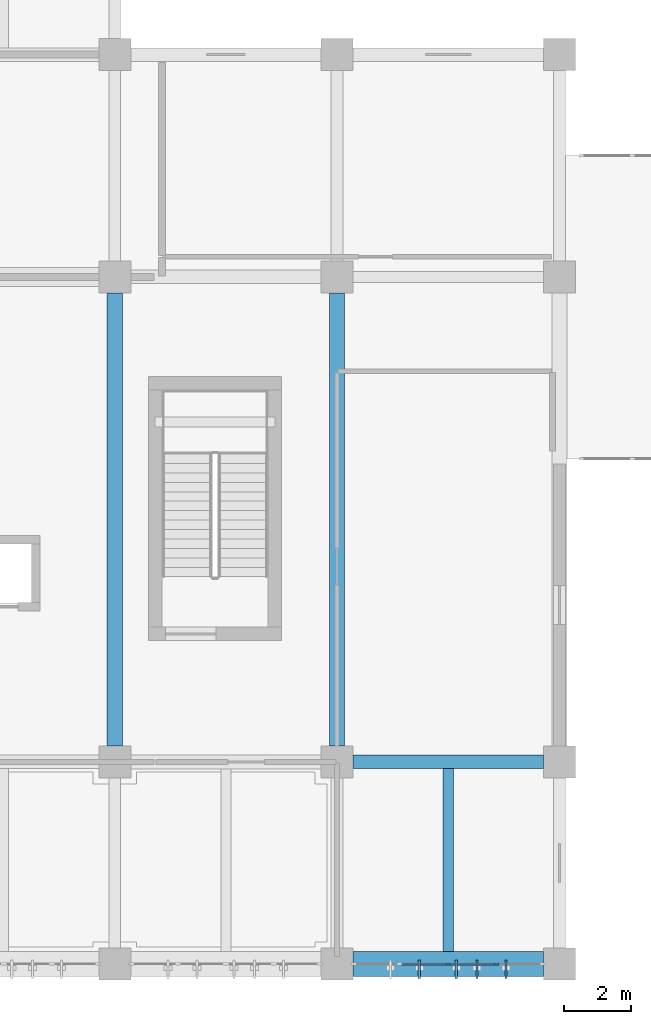
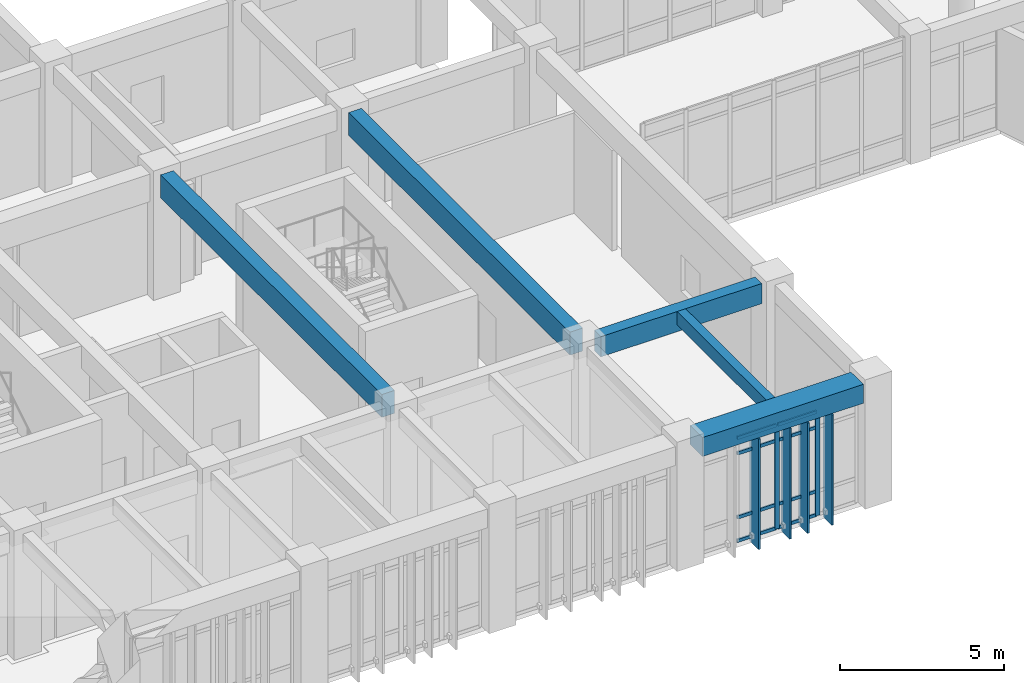
# One storey, part 4 of 65: 14 members, 5 beams, 1 element without a shape of its own.
"""IFC4 building model written with IfcOpenShell, lengths in metres."""

from ifc_helpers import new_model, si_unit, direction, frame, origin, origin_2d, place, context, subcontext, project, spatial, rectangle, extrude, material, layer, layer_set, material_profile, profile_set, type_object, element, aggregate, save


model = new_model("IFC4")

# Units and contexts
model_context = context("Model", 3, precision=1e-05, world=origin(), true_north=direction((0.0, 1.0)))
body_context = subcontext(model_context, "Body", "Model", "MODEL_VIEW")
ifc_project = project(units=[si_unit("LENGTHUNIT", "METRE"), si_unit("AREAUNIT", "SQUARE_METRE"), si_unit("VOLUMEUNIT", "CUBIC_METRE"), si_unit("PLANEANGLEUNIT", "RADIAN"), si_unit("MASSUNIT", "GRAM", prefix="KILO")], contexts=[model_context])

# Site, building, storey
site_placement = place(None, origin())
site = spatial("IfcSite", under=ifc_project, at=site_placement, CompositionType="ELEMENT")
building_placement = place(site_placement, origin())
building = spatial("IfcBuilding", under=site, at=building_placement, Name="Miralva Faculty of Natural Sciences", CompositionType="ELEMENT")
storey_placement = place(building_placement, frame((0.0, 0.0, 10.199951171875)))
storey = spatial("IfcBuildingStorey", under=building, at=storey_placement, Name="L02", CompositionType="ELEMENT", Elevation=10.199951171875)

# Beams
ifc_material_1 = material(Name="Concrete C40/50", Category="concrete")
ifc_material_profile_1 = material_profile(ifc_material_1, rectangle(XDim=0.449951171875, YDim=0.85009765625, at=origin_2d()), Name="RC 450x850")
ifc_profile_set_1 = profile_set([ifc_material_profile_1], Name="Concrete C40/50")
beam_type_1 = type_object("IfcBeamType", Name="BM-B01", PredefinedType="BEAM", material=ifc_profile_set_1)
for number, where, z_axis, x_axis, name in (
    (1, (22.800048828125, 9.47509765625, 4.155029296875), (0.0, 1.0, 0.0), (-1.0, 0.0, 0.0), "Girder NS L02-100"),
    (2, (29.39990234375, 9.47509765625, 4.155029296875), (0.0, 1.0, 0.0), (-1.0, 0.0, 0.0), "Girder NS L02-113"),
):
    element("IfcBeam", number, at=place(storey_placement, frame(where, z_axis=z_axis, x_axis=x_axis)), inside=storey, type_object=beam_type_1, Name=name, PredefinedType="BEAM", context=body_context, shape_type="SweptSolid", body=[
        extrude(rectangle(XDim=0.449951171875, YDim=0.85009765625, at=origin_2d()), origin(), (0.0, 0.0, 1.0), 13.449951171875),
    ])
ifc_material_profile_2 = material_profile(ifc_material_1, rectangle(XDim=0.39990234375, YDim=0.75, at=origin_2d()), Name="RC 400x750")
ifc_profile_set_2 = profile_set([ifc_material_profile_2], Name="Concrete C40/50")
beam_type_2 = type_object("IfcBeamType", Name="BM-B03", PredefinedType="BEAM", material=ifc_profile_set_2)
beam_1_placement = place(storey_placement, frame((29.875, 9.0, 4.205078125), z_axis=(1.0, 0.0, 0.0), x_axis=(0.0, 1.0, 0.0)))
element("IfcBeam", 3, at=beam_1_placement, inside=storey, type_object=beam_type_2, Name="Girder EW L02-10", PredefinedType="BEAM", context=body_context, shape_type="SweptSolid", body=[
    extrude(rectangle(XDim=0.39990234375, YDim=0.75, at=origin_2d()), origin(), (0.0, 0.0, 1.0), 5.64990234375),
])
ifc_material_profile_3 = material_profile(ifc_material_1, rectangle(XDim=0.300048828125, YDim=0.5, at=origin_2d()), Name="RC 300x500")
ifc_profile_set_3 = profile_set([ifc_material_profile_3], Name="Concrete C40/50")
beam_type_3 = type_object("IfcBeamType", Name="BM-J03", PredefinedType="JOIST", material=ifc_profile_set_3)
beam_2_placement = place(storey_placement, frame((32.699951171875, 3.375, 4.330078125), z_axis=(0.0, 1.0, 0.0), x_axis=(-1.0, 0.0, 0.0)))
element("IfcBeam", 4, at=beam_2_placement, inside=storey, type_object=beam_type_3, Name="Floor joist L02-5", PredefinedType="JOIST", context=body_context, shape_type="SweptSolid", body=[
    extrude(rectangle(XDim=0.300048828125, YDim=0.5, at=origin_2d()), origin(), (0.0, 0.0, 1.0), 5.425048828125),
])
ifc_material_profile_4 = material_profile(ifc_material_1, rectangle(XDim=0.75, YDim=0.699951171875, at=origin_2d()), Name="RC 750x700")
ifc_profile_set_4 = profile_set([ifc_material_profile_4], Name="Concrete C40/50")
beam_type_4 = type_object("IfcBeamType", Name="BM-SP01", PredefinedType="SPANDREL", material=ifc_profile_set_4)
beam_3_placement = place(storey_placement, frame((29.875, 3.0, 4.22998046875), z_axis=(1.0, 0.0, 0.0), x_axis=(0.0, 1.0, 0.0)))
element("IfcBeam", 5, at=beam_3_placement, inside=storey, type_object=beam_type_4, Name="Girder EW L02-5", PredefinedType="SPANDREL", context=body_context, shape_type="SweptSolid", body=[
    extrude(rectangle(XDim=0.75, YDim=0.699951171875, at=origin_2d()), origin(), (0.0, 0.0, 1.0), 5.64990234375),
])

# Curtain wall, members
ifc_material_2 = material(Name="Laminated solar-control glass", Category="glass")
ifc_layer = layer(ifc_material_2, 0.179931640625, Name="CW-TWR-L01")
ifc_layer_set = layer_set([ifc_layer], Name="Laminated solar-control glass")
curtain_wall_type = type_object("IfcCurtainWallType", Name="CW-TWR-L01", PredefinedType="USERDEFINED", material=ifc_layer_set)
curtain_wall_placement = place(storey_placement, origin())
curtain_wall = element("IfcCurtainWall", 6, at=curtain_wall_placement, inside=storey, type_object=curtain_wall_type, Name="Curtain wall CW-13 L02-222", ObjectType="UNITISED CURTAIN WALL", PredefinedType="USERDEFINED")
ifc_material_3 = material(Name="Anodised aluminium", Category="aluminium")
ifc_material_profile_5 = material_profile(ifc_material_3, rectangle(XDim=0.06494140625, YDim=0.159912109375, at=origin_2d()), Name="MULLION 65x160")
ifc_profile_set_5 = profile_set([ifc_material_profile_5], Name="Anodised aluminium")
member_type_1 = type_object("IfcMemberType", Name="CW-M02", PredefinedType="MULLION", material=ifc_profile_set_5)
member_1_placement = place(storey_placement, frame((32.699951171875, 3.0, 0.0), z_axis=(0.0, 0.0, 1.0), x_axis=(0.0, 1.0, 0.0)))
member_1 = element("IfcMember", 7, at=member_1_placement, type_object=member_type_1, Name="CW-13 mullion 3", PredefinedType="MULLION", context=body_context, shape_type="SweptSolid", body=[
    extrude(rectangle(XDim=0.06494140625, YDim=0.159912109375, at=origin_2d()), origin(), (0.0, 0.0, 1.0), 3.875),
])
member_2_placement = place(storey_placement, frame((34.12255859375, 3.0, 0.0), z_axis=(0.0, 0.0, 1.0), x_axis=(0.0, 1.0, 0.0)))
member_2 = element("IfcMember", 8, at=member_2_placement, type_object=member_type_1, Name="CW-13 mullion 4", PredefinedType="MULLION", context=body_context, shape_type="SweptSolid", body=[
    extrude(rectangle(XDim=0.06494140625, YDim=0.159912109375, at=origin_2d()), origin(), (0.0, 0.0, 1.0), 3.875),
])
ifc_material_profile_6 = material_profile(ifc_material_3, rectangle(XDim=0.06005859375, YDim=0.1201171875, at=origin_2d()), Name="TRANSOM 60x120")
ifc_profile_set_6 = profile_set([ifc_material_profile_6], Name="Anodised aluminium")
member_type_2 = type_object("IfcMemberType", Name="CW-T02", PredefinedType="USERDEFINED", material=ifc_profile_set_6)
member_3_placement = place(storey_placement, frame((31.31005859375, 3.0, 0.030029296875), z_axis=(1.0, 0.0, 0.0), x_axis=(0.0, 1.0, 0.0)))
member_3 = element("IfcMember", 9, at=member_3_placement, type_object=member_type_2, Name="CW-13 transom 2.1", ObjectType="TRANSOM", PredefinedType="USERDEFINED", context=body_context, shape_type="SweptSolid", body=[
    extrude(rectangle(XDim=0.06005859375, YDim=0.1201171875, at=origin_2d()), origin(), (0.0, 0.0, 1.0), 1.357421875),
])
member_4_placement = place(storey_placement, frame((31.31005859375, 3.0, 0.900146484375), z_axis=(1.0, 0.0, 0.0), x_axis=(0.0, 1.0, 0.0)))
member_4 = element("IfcMember", 10, at=member_4_placement, type_object=member_type_2, Name="CW-13 transom 2.2", ObjectType="TRANSOM", PredefinedType="USERDEFINED", context=body_context, shape_type="SweptSolid", body=[
    extrude(rectangle(XDim=0.06005859375, YDim=0.1201171875, at=origin_2d()), origin(), (0.0, 0.0, 1.0), 1.357421875),
])
member_5_placement = place(storey_placement, frame((31.31005859375, 3.0, 3.275146484375), z_axis=(1.0, 0.0, 0.0), x_axis=(0.0, 1.0, 0.0)))
member_5 = element("IfcMember", 11, at=member_5_placement, type_object=member_type_2, Name="CW-13 transom 2.3", ObjectType="TRANSOM", PredefinedType="USERDEFINED", context=body_context, shape_type="SweptSolid", body=[
    extrude(rectangle(XDim=0.06005859375, YDim=0.1201171875, at=origin_2d()), origin(), (0.0, 0.0, 1.0), 1.357421875),
])
member_6_placement = place(storey_placement, frame((31.31005859375, 3.0, 3.844970703125), z_axis=(1.0, 0.0, 0.0), x_axis=(0.0, 1.0, 0.0)))
member_6 = element("IfcMember", 12, at=member_6_placement, type_object=member_type_2, Name="CW-13 transom 2.4", ObjectType="TRANSOM", PredefinedType="USERDEFINED", context=body_context, shape_type="SweptSolid", body=[
    extrude(rectangle(XDim=0.06005859375, YDim=0.1201171875, at=origin_2d()), origin(), (0.0, 0.0, 1.0), 1.357421875),
])
member_7_placement = place(storey_placement, frame((32.732421875, 3.0, 0.030029296875), z_axis=(1.0, 0.0, 0.0), x_axis=(0.0, 1.0, 0.0)))
member_7 = element("IfcMember", 13, at=member_7_placement, type_object=member_type_2, Name="CW-13 transom 3.1", ObjectType="TRANSOM", PredefinedType="USERDEFINED", context=body_context, shape_type="SweptSolid", body=[
    extrude(rectangle(XDim=0.06005859375, YDim=0.1201171875, at=origin_2d()), origin(), (0.0, 0.0, 1.0), 1.357666015625),
])
member_8_placement = place(storey_placement, frame((32.732421875, 3.0, 0.900146484375), z_axis=(1.0, 0.0, 0.0), x_axis=(0.0, 1.0, 0.0)))
member_8 = element("IfcMember", 14, at=member_8_placement, type_object=member_type_2, Name="CW-13 transom 3.2", ObjectType="TRANSOM", PredefinedType="USERDEFINED", context=body_context, shape_type="SweptSolid", body=[
    extrude(rectangle(XDim=0.06005859375, YDim=0.1201171875, at=origin_2d()), origin(), (0.0, 0.0, 1.0), 1.357666015625),
])
member_9_placement = place(storey_placement, frame((32.732421875, 3.0, 3.275146484375), z_axis=(1.0, 0.0, 0.0), x_axis=(0.0, 1.0, 0.0)))
member_9 = element("IfcMember", 15, at=member_9_placement, type_object=member_type_2, Name="CW-13 transom 3.3", ObjectType="TRANSOM", PredefinedType="USERDEFINED", context=body_context, shape_type="SweptSolid", body=[
    extrude(rectangle(XDim=0.06005859375, YDim=0.1201171875, at=origin_2d()), origin(), (0.0, 0.0, 1.0), 1.357666015625),
])
member_10_placement = place(storey_placement, frame((32.732421875, 3.0, 3.844970703125), z_axis=(1.0, 0.0, 0.0), x_axis=(0.0, 1.0, 0.0)))
member_10 = element("IfcMember", 16, at=member_10_placement, type_object=member_type_2, Name="CW-13 transom 3.4", ObjectType="TRANSOM", PredefinedType="USERDEFINED", context=body_context, shape_type="SweptSolid", body=[
    extrude(rectangle(XDim=0.06005859375, YDim=0.1201171875, at=origin_2d()), origin(), (0.0, 0.0, 1.0), 1.357666015625),
])
aggregate(curtain_wall, [member_1, member_2, member_3, member_4, member_5, member_6, member_7, member_8, member_9, member_10])

# Members
ifc_material_profile_7 = material_profile(ifc_material_3, rectangle(XDim=0.06494140625, YDim=0.550048828125, at=origin_2d()), Name="FIN 550x65")
ifc_profile_set_7 = profile_set([ifc_material_profile_7], Name="Anodised aluminium")
member_type_3 = type_object("IfcMemberType", Name="MEM-SF03", PredefinedType="USERDEFINED", material=ifc_profile_set_7)
for number, where, z_axis, x_axis, name in (
    (17, (31.842041015625, 2.840087890625, -0.219970703125), (0.0, 0.0, 1.0), (1.0, 0.0, 0.0), "Solar shading fin SF-03 L02-241"),
    (18, (32.93994140625, 2.840087890625, -0.219970703125), (0.0, 0.0, 1.0), (1.0, 0.0, 0.0), "Solar shading fin SF-03 L02-242"),
    (19, (33.55810546875, 2.840087890625, -0.219970703125), (0.0, 0.0, 1.0), (1.0, 0.0, 0.0), "Solar shading fin SF-03 L02-243"),
    (20, (34.416015625, 2.840087890625, -0.219970703125), (0.0, 0.0, 1.0), (1.0, 0.0, 0.0), "Solar shading fin SF-03 L02-244"),
):
    element("IfcMember", number, at=place(storey_placement, frame(where, z_axis=z_axis, x_axis=x_axis)), inside=storey, type_object=member_type_3, Name=name, ObjectType="SUNSHADE", PredefinedType="USERDEFINED", context=body_context, shape_type="SweptSolid", body=[
        extrude(rectangle(XDim=0.06494140625, YDim=0.550048828125, at=origin_2d()), origin(), (0.0, 0.0, 1.0), 4.094970703125),
    ])

save(model, "model.ifc")
